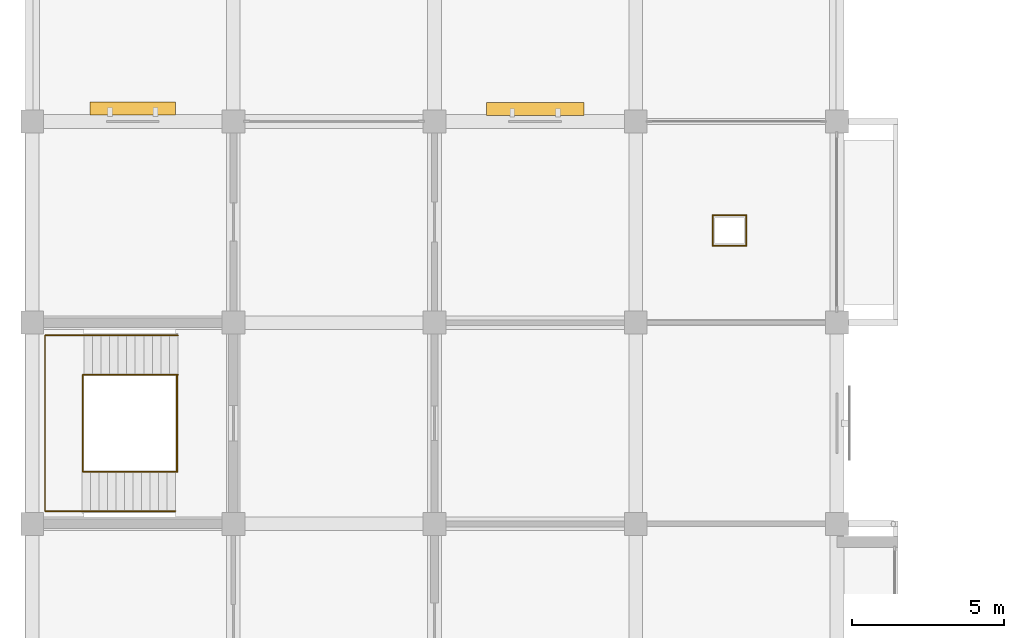
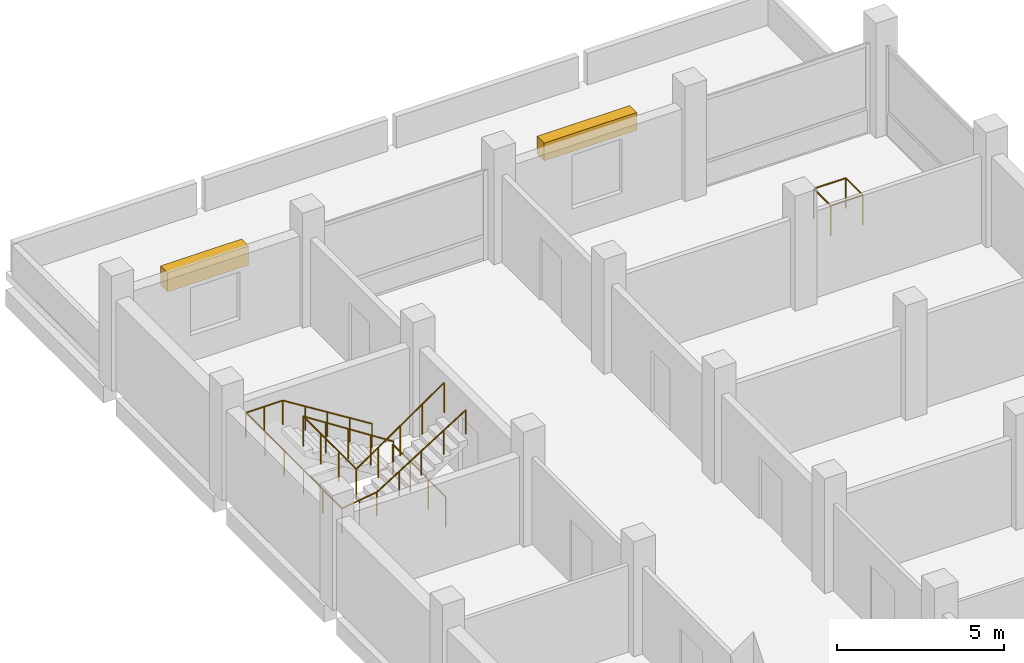
# One storey, part 15 of 15: 4 railings, 2 shading devices.
"""IFC4 building model written with IfcOpenShell, lengths in metres."""

from ifc_helpers import new_model, si_unit, direction, frame, origin, origin_2d, place, context, subcontext, project, spatial, rectangle, circle, extrude, material, type_object, element, save


model = new_model("IFC4")

# Units and contexts
model_context = context("Model", 3, precision=1e-05, world=origin(), true_north=direction((0.0, 1.0)))
body_context = subcontext(model_context, "Body", "Model", "MODEL_VIEW")
ifc_project = project(units=[si_unit("LENGTHUNIT", "METRE"), si_unit("AREAUNIT", "SQUARE_METRE"), si_unit("VOLUMEUNIT", "CUBIC_METRE"), si_unit("PLANEANGLEUNIT", "RADIAN"), si_unit("MASSUNIT", "GRAM", prefix="KILO")], contexts=[model_context])

# Site, building, storey
site_placement = place(None, origin())
site = spatial("IfcSite", under=ifc_project, at=site_placement, CompositionType="ELEMENT")
building_placement = place(site_placement, origin())
building = spatial("IfcBuilding", under=site, at=building_placement, Name="Rusizi Kubbe Research Institute", CompositionType="ELEMENT")
storey_placement = place(building_placement, frame((0.0, 0.0, 27.0)))
storey = spatial("IfcBuildingStorey", under=building, at=storey_placement, Name="L06", CompositionType="ELEMENT", Elevation=27.0)

# Railings
ifc_material_1 = material(Name="Painted Steel Stair Guard", Category="steel")
railing_type_1 = type_object("IfcRailingType", Name="GR-STAIR", PredefinedType="GUARDRAIL", material=ifc_material_1)
railing_1_placement = place(storey_placement, frame((4.780029296875, 70.889892578125, 0.08740234375)))
element("IfcRailing", 1, at=railing_1_placement, inside=storey, type_object=railing_type_1, Name="Stair Inner Well Guard ST5 L06", PredefinedType="GUARDRAIL", context=body_context, shape_type="SweptSolid", body=[
    extrude(circle(Radius=0.02392578125, at=origin_2d()), frame((0.0, 0.0, 1.09619140625), z_axis=(-0.840331431664, 0.0, 0.542072951693), x_axis=(0.0, -1.0, 0.0)), (0.0, 0.0, 1.0), 3.712890625),
    extrude(circle(Radius=0.02392578125, at=origin_2d()), frame((-3.1201171875, 0.0, 3.10888671875), z_axis=(0.0, -1.0, 0.0), x_axis=(1.0, 0.0, 0.0)), (0.0, 0.0, 1.0), 3.179931640625),
    extrude(circle(Radius=0.02392578125, at=origin_2d()), frame((-3.1201171875, -3.179931640625, 3.10888671875), z_axis=(0.822798317177, 0.0, 0.568333466595), x_axis=(0.0, 1.0, 0.0)), (0.0, 0.0, 1.0), 3.69482421875),
    extrude(circle(Radius=0.02099609375, at=origin_2d()), origin(), (0.0, 0.0, 1.0), 1.072021484375),
    extrude(circle(Radius=0.02099609375, at=origin_2d()), frame((-0.780029296875, 0.0, 0.503173828125)), (0.0, 0.0, 1.0), 1.072021484375),
    extrude(circle(Radius=0.02099609375, at=origin_2d()), frame((-1.56005859375, 0.0, 1.00634765625)), (0.0, 0.0, 1.0), 1.072021484375),
    extrude(circle(Radius=0.02099609375, at=origin_2d()), frame((-2.340087890625, 0.0, 1.509521484375)), (0.0, 0.0, 1.0), 1.072021484375),
    extrude(circle(Radius=0.02099609375, at=origin_2d()), frame((-3.1201171875, 0.0, 2.0126953125)), (0.0, 0.0, 1.0), 1.072021484375),
    extrude(circle(Radius=0.02099609375, at=origin_2d()), frame((-3.1201171875, -1.06005859375, 2.0126953125)), (0.0, 0.0, 1.0), 1.072021484375),
    extrude(circle(Radius=0.02099609375, at=origin_2d()), frame((-3.1201171875, -2.119873046875, 2.0126953125)), (0.0, 0.0, 1.0), 1.072021484375),
    extrude(circle(Radius=0.02099609375, at=origin_2d()), frame((-3.1201171875, -3.179931640625, 2.0126953125)), (0.0, 0.0, 1.0), 1.072021484375),
    extrude(circle(Radius=0.02099609375, at=origin_2d()), frame((-2.360107421875, -3.179931640625, 2.53759765625)), (0.0, 0.0, 1.0), 1.072021484375),
    extrude(circle(Radius=0.02099609375, at=origin_2d()), frame((-1.60009765625, -3.179931640625, 3.0625)), (0.0, 0.0, 1.0), 1.072021484375),
    extrude(circle(Radius=0.02099609375, at=origin_2d()), frame((-0.840087890625, -3.179931640625, 3.587646484375)), (0.0, 0.0, 1.0), 1.072021484375),
    extrude(circle(Radius=0.02099609375, at=origin_2d()), frame((-0.080078125, -3.179931640625, 4.112548828125)), (0.0, 0.0, 1.0), 1.072021484375),
])
railing_2_placement = place(storey_placement, frame((4.75, 70.889892578125, 0.0)))
element("IfcRailing", 2, at=railing_2_placement, inside=storey, type_object=railing_type_1, Name="Stair Floor Edge Guard ST5 L06", PredefinedType="GUARDRAIL", context=body_context, shape_type="SweptSolid", body=[
    extrude(circle(Radius=0.02392578125, at=origin_2d()), frame((0.0, 0.0, 1.09619140625), z_axis=(0.0, -1.0, 0.0), x_axis=(1.0, 0.0, 0.0)), (0.0, 0.0, 1.0), 3.179931640625),
    extrude(circle(Radius=0.02099609375, at=origin_2d()), origin(), (0.0, 0.0, 1.0), 1.072021484375),
    extrude(circle(Radius=0.02099609375, at=origin_2d()), frame((0.0, -1.06005859375, 0.0)), (0.0, 0.0, 1.0), 1.072021484375),
    extrude(circle(Radius=0.02099609375, at=origin_2d()), frame((0.0, -2.119873046875, 0.0)), (0.0, 0.0, 1.0), 1.072021484375),
    extrude(circle(Radius=0.02099609375, at=origin_2d()), frame((0.0, -3.179931640625, 0.0)), (0.0, 0.0, 1.0), 1.072021484375),
])
railing_3_placement = place(storey_placement, frame((22.320068359375, 75.1201171875, 0.0)))
element("IfcRailing", 3, at=railing_3_placement, inside=storey, type_object=railing_type_1, Name="Service Riser Guard L06 NORTHA", PredefinedType="GUARDRAIL", context=body_context, shape_type="SweptSolid", body=[
    extrude(circle(Radius=0.02392578125, at=origin_2d()), frame((0.0, 0.0, 1.09619140625), z_axis=(1.0, 0.0, 0.0), x_axis=(0.0, 1.0, 0.0)), (0.0, 0.0, 1.0), 1.10986328125),
    extrude(circle(Radius=0.02392578125, at=origin_2d()), frame((1.10986328125, 0.0, 1.09619140625), z_axis=(0.0, 1.0, 0.0), x_axis=(-1.0, 0.0, 0.0)), (0.0, 0.0, 1.0), 1.009765625),
    extrude(circle(Radius=0.02392578125, at=origin_2d()), frame((1.10986328125, 1.009765625, 1.09619140625), z_axis=(-1.0, 0.0, 0.0), x_axis=(0.0, -1.0, 0.0)), (0.0, 0.0, 1.0), 1.10986328125),
    extrude(circle(Radius=0.02392578125, at=origin_2d()), frame((0.0, 1.009765625, 1.09619140625), z_axis=(0.0, -1.0, 0.0), x_axis=(1.0, 0.0, 0.0)), (0.0, 0.0, 1.0), 1.009765625),
    extrude(circle(Radius=0.02099609375, at=origin_2d()), origin(), (0.0, 0.0, 1.0), 1.072021484375),
    extrude(circle(Radius=0.02099609375, at=origin_2d()), frame((1.10986328125, 0.0, 0.0)), (0.0, 0.0, 1.0), 1.072021484375),
    extrude(circle(Radius=0.02099609375, at=origin_2d()), frame((1.10986328125, 1.009765625, 0.0)), (0.0, 0.0, 1.0), 1.072021484375),
    extrude(circle(Radius=0.02099609375, at=origin_2d()), frame((0.0, 1.009765625, 0.0)), (0.0, 0.0, 1.0), 1.072021484375),
])
ifc_material_2 = material(Name="Brushed Stainless Steel Handrail", Category="steel")
railing_type_2 = type_object("IfcRailingType", Name="HR-STAIR", PredefinedType="HANDRAIL", material=ifc_material_2)
railing_4_placement = place(storey_placement, frame((4.780029296875, 72.179931640625, 0.175048828125)))
element("IfcRailing", 4, at=railing_4_placement, inside=storey, type_object=railing_type_2, Name="Stair Wall Handrail ST5 L06", PredefinedType="HANDRAIL", context=body_context, shape_type="SweptSolid", body=[
    extrude(circle(Radius=0.02392578125, at=origin_2d()), frame((0.0, 0.0, 0.8759765625), z_axis=(-0.847998304005, 0.0, 0.529998940003), x_axis=(0.0, -1.0, 0.0)), (0.0, 0.0, 1.0), 3.632080078125),
    extrude(circle(Radius=0.02392578125, at=origin_2d()), frame((-3.080078125, 0.0, 2.80078125), z_axis=(-1.0, 0.0, 0.0), x_axis=(0.0, -1.0, 0.0)), (0.0, 0.0, 1.0), 1.280029296875),
    extrude(circle(Radius=0.02392578125, at=origin_2d()), frame((-4.360107421875, 0.0, 2.80078125), z_axis=(0.0, -1.0, 0.0), x_axis=(1.0, 0.0, 0.0)), (0.0, 0.0, 1.0), 5.760009765625),
    extrude(circle(Radius=0.02392578125, at=origin_2d()), frame((-4.360107421875, -5.760009765625, 2.80078125), z_axis=(0.98965895042, 0.0, 0.143440447065), x_axis=(0.0, 1.0, 0.0)), (0.0, 0.0, 1.0), 1.21875),
    extrude(circle(Radius=0.02392578125, at=origin_2d()), frame((-3.154052734375, -5.760009765625, 2.9755859375), z_axis=(0.847525270172, 0.0, 0.530755043706), x_axis=(0.0, 1.0, 0.0)), (0.0, 0.0, 1.0), 3.626953125),
    extrude(circle(Radius=0.02099609375, at=origin_2d()), origin(), (0.0, 0.0, 1.0), 0.851806640625),
    extrude(circle(Radius=0.02099609375, at=origin_2d()), frame((-0.77001953125, 0.0, 0.481201171875)), (0.0, 0.0, 1.0), 0.851806640625),
    extrude(circle(Radius=0.02099609375, at=origin_2d()), frame((-1.5400390625, 0.0, 0.96240234375)), (0.0, 0.0, 1.0), 0.851806640625),
    extrude(circle(Radius=0.02099609375, at=origin_2d()), frame((-2.31005859375, 0.0, 1.44384765625)), (0.0, 0.0, 1.0), 0.851806640625),
    extrude(circle(Radius=0.02099609375, at=origin_2d()), frame((-3.080078125, 0.0, 1.925048828125)), (0.0, 0.0, 1.0), 0.851806640625),
    extrude(circle(Radius=0.02099609375, at=origin_2d()), frame((-3.72021484375, 0.0, 1.925048828125)), (0.0, 0.0, 1.0), 0.851806640625),
    extrude(circle(Radius=0.02099609375, at=origin_2d()), frame((-4.360107421875, 0.0, 1.925048828125)), (0.0, 0.0, 1.0), 0.851806640625),
    extrude(circle(Radius=0.02099609375, at=origin_2d()), frame((-4.360107421875, -1.152099609375, 1.925048828125)), (0.0, 0.0, 1.0), 0.851806640625),
    extrude(circle(Radius=0.02099609375, at=origin_2d()), frame((-4.360107421875, -2.303955078125, 1.925048828125)), (0.0, 0.0, 1.0), 0.851806640625),
    extrude(circle(Radius=0.02099609375, at=origin_2d()), frame((-4.360107421875, -3.4560546875, 1.925048828125)), (0.0, 0.0, 1.0), 0.851806640625),
    extrude(circle(Radius=0.02099609375, at=origin_2d()), frame((-4.360107421875, -4.60791015625, 1.925048828125)), (0.0, 0.0, 1.0), 0.851806640625),
    extrude(circle(Radius=0.02099609375, at=origin_2d()), frame((-4.360107421875, -5.760009765625, 1.925048828125)), (0.0, 0.0, 1.0), 0.851806640625),
    extrude(circle(Radius=0.02099609375, at=origin_2d()), frame((-3.757080078125, -5.760009765625, 2.012451171875)), (0.0, 0.0, 1.0), 0.851806640625),
    extrude(circle(Radius=0.02099609375, at=origin_2d()), frame((-3.154052734375, -5.760009765625, 2.099853515625)), (0.0, 0.0, 1.0), 0.851806640625),
    extrude(circle(Radius=0.02099609375, at=origin_2d()), frame((-2.385498046875, -5.760009765625, 2.5810546875)), (0.0, 0.0, 1.0), 0.851806640625),
    extrude(circle(Radius=0.02099609375, at=origin_2d()), frame((-1.6171875, -5.760009765625, 3.0625)), (0.0, 0.0, 1.0), 0.851806640625),
    extrude(circle(Radius=0.02099609375, at=origin_2d()), frame((-0.8486328125, -5.760009765625, 3.543701171875)), (0.0, 0.0, 1.0), 0.851806640625),
    extrude(circle(Radius=0.02099609375, at=origin_2d()), frame((-0.080078125, -5.760009765625, 4.02490234375)), (0.0, 0.0, 1.0), 0.851806640625),
])

# Shading devices
ifc_material_3 = material(Name="Extruded Aluminium Solar Louver", Category="aluminium")
shading_device_type_1 = type_object("IfcShadingDeviceType", Name="SD-02", PredefinedType="SHUTTER", material=ifc_material_3)
shading_device_1_placement = place(storey_placement, frame((3.300048828125, 79.6298828125, 2.47998046875), z_axis=(0.0, 0.0, 1.0), x_axis=(1.0, 0.0, 0.0)))
element("IfcShadingDevice", 5, at=shading_device_1_placement, inside=storey, type_object=shading_device_type_1, Name="Solar Shading Louver SD-02-037", PredefinedType="SHUTTER", context=body_context, shape_type="SweptSolid", body=[
    extrude(rectangle(XDim=2.800048828125, YDim=0.419921875, at=origin_2d()), origin(), (0.0, 0.0, 1.0), 0.699951171875),
])
ifc_material_4 = material(Name="Extruded Aluminium Solar Louver", Category="aluminium")
shading_device_type_2 = type_object("IfcShadingDeviceType", Name="SD-03", PredefinedType="SHUTTER", material=ifc_material_4)
shading_device_2_placement = place(storey_placement, frame((16.5, 79.612548828125, 2.72509765625), z_axis=(0.0, 0.0, 1.0), x_axis=(1.0, 0.0, 0.0)))
element("IfcShadingDevice", 6, at=shading_device_2_placement, inside=storey, type_object=shading_device_type_2, Name="Solar Shading Louver SD-03-038", PredefinedType="SHUTTER", context=body_context, shape_type="SweptSolid", body=[
    extrude(rectangle(XDim=3.199951171875, YDim=0.419921875, at=origin_2d()), origin(), (0.0, 0.0, 1.0), 0.64990234375),
])

save(model, "model.ifc")
